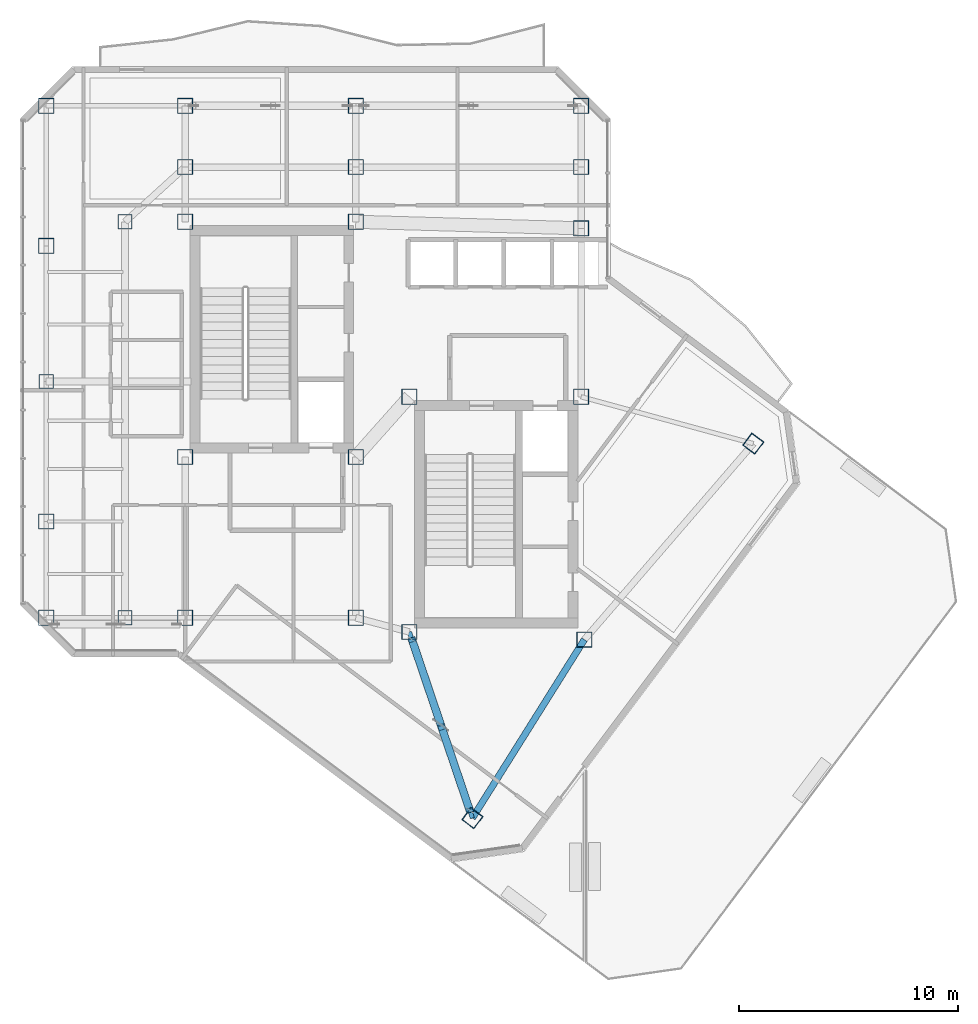
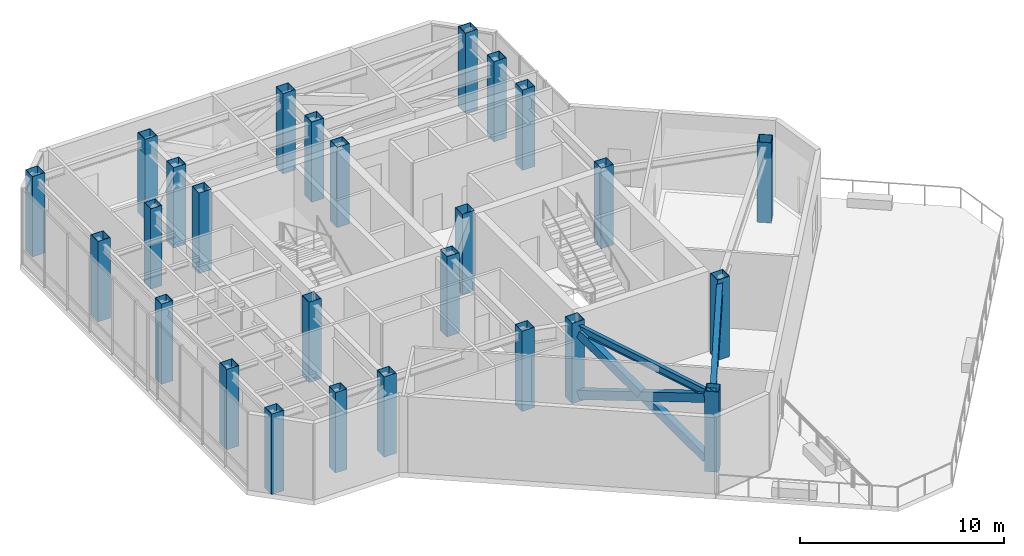
# One storey, part 1 of 21: 26 columns, 3 members, 2 beams.
"""IFC4 building model written with IfcOpenShell, lengths in metres."""

from ifc_helpers import new_model, si_unit, direction, frame, origin, origin_2d, place, context, subcontext, project, spatial, hollow_rectangle, i_section, extrude, material, material_profile, profile_set, type_object, element, save


model = new_model("IFC4")

# Units and contexts
model_context = context("Model", 3, precision=1e-05, world=origin(), true_north=direction((0.0, 1.0)))
body_context = subcontext(model_context, "Body", "Model", "MODEL_VIEW")
ifc_project = project(units=[si_unit("LENGTHUNIT", "METRE"), si_unit("AREAUNIT", "SQUARE_METRE"), si_unit("VOLUMEUNIT", "CUBIC_METRE"), si_unit("PLANEANGLEUNIT", "RADIAN"), si_unit("MASSUNIT", "GRAM", prefix="KILO")], contexts=[model_context])

# Site, building, storey
site_placement = place(None, origin())
site = spatial("IfcSite", under=ifc_project, at=site_placement, CompositionType="ELEMENT")
building_placement = place(site_placement, origin())
building = spatial("IfcBuilding", under=site, at=building_placement, Name="Hatsunagi Terrace Concourse", CompositionType="ELEMENT")
storey_placement = place(building_placement, frame((0.0, 0.0, 234.75)))
storey = spatial("IfcBuildingStorey", under=building, at=storey_placement, Name="L62", CompositionType="ELEMENT", Elevation=234.75)

# Columns
ifc_material_1 = material(Name="Steel BCP325T", Category="steel")
ifc_material_profile_1 = material_profile(ifc_material_1, hollow_rectangle(XDim=0.64990234375, YDim=0.64990234375, WallThickness=0.02490234375, at=origin_2d()), Name="BCP-650x650x25")
ifc_profile_set_1 = profile_set([ifc_material_profile_1], Name="Steel BCP325T")
column_type_1 = type_object("IfcColumnType", Name="TowerBoxColumn_650x650x25", PredefinedType="COLUMN", material=ifc_profile_set_1)
for number, where, z_axis, x_axis, name in (
    (1, (22.800048828125, 25.199951171875, 0.0), (0.0, 0.0, 1.0), (1.0, 0.0, 0.0), "Column C-09 L62-CW1"),
    (2, (22.800048828125, 43.300048828125, 0.0), (0.0, 0.0, 1.0), (1.0, 0.0, 0.0), "Column C-09 L62-CW2"),
    (3, (19.199951171875, 36.0, 0.0), (0.0, 0.0, 1.0), (1.0, 0.0, 0.0), "Column C-09 L62-WT2"),
):
    element("IfcColumn", number, at=place(storey_placement, frame(where, z_axis=z_axis, x_axis=x_axis)), inside=storey, type_object=column_type_1, Name=name, PredefinedType="COLUMN", context=body_context, shape_type="SweptSolid", body=[
        extrude(hollow_rectangle(XDim=0.64990234375, YDim=0.64990234375, WallThickness=0.02490234375, at=origin_2d()), origin(), (0.0, 0.0, 1.0), 4.800048828125),
    ])
ifc_material_2 = material(Name="Steel BCP325T", Category="steel")
ifc_material_profile_2 = material_profile(ifc_material_2, hollow_rectangle(XDim=0.699951171875, YDim=0.699951171875, WallThickness=0.028076171875, at=origin_2d()), Name="BCP-700x700x28")
ifc_profile_set_2 = profile_set([ifc_material_profile_2], Name="Steel BCP325T")
column_type_2 = type_object("IfcColumnType", Name="TowerBoxColumn_700x700x28", PredefinedType="COLUMN", material=ifc_profile_set_2)
for number, where, z_axis, x_axis, name in (
    (4, (25.550048828125, 32.550048828125, 0.0), (0.0, 0.0, 1.0), (1.0, 0.0, 0.0), "Column C-08 L62-CASW"),
    (5, (33.35009765625, 32.550048828125, 0.0), (0.0, 0.0, 1.0), (1.0, 0.0, 0.0), "Column C-08 L62-CASE"),
    (6, (25.550048828125, 43.300048828125, 0.0), (0.0, 0.0, 1.0), (1.0, 0.0, 0.0), "Column C-08 L62-CANW"),
    (7, (33.35009765625, 43.300048828125, 0.0), (0.0, 0.0, 1.0), (1.0, 0.0, 0.0), "Column C-08 L62-CANE"),
    (8, (35.800048828125, 24.550048828125, 0.0), (0.0, 0.0, 1.0), (1.0, 0.0, 0.0), "Column C-08 L62-CBSW"),
    (9, (43.800048828125, 24.199951171875, 0.0), (0.0, 0.0, 1.0), (1.0, 0.0, 0.0), "Column C-08 L62-CBSE"),
    (10, (35.800048828125, 35.300048828125, 0.0), (0.0, 0.0, 1.0), (1.0, 0.0, 0.0), "Column C-08 L62-CBNW"),
    (11, (43.64990234375, 35.300048828125, 0.0), (0.0, 0.0, 1.0), (1.0, 0.0, 0.0), "Column C-08 L62-CBNE"),
    (12, (25.550048828125, 25.199951171875, 0.0), (0.0, 0.0, 1.0), (1.0, 0.0, 0.0), "Column C-08 L62-K1"),
    (13, (33.35009765625, 25.199951171875, 0.0), (0.0, 0.0, 1.0), (1.0, 0.0, 0.0), "Column C-08 L62-K2"),
    (14, (43.64990234375, 43.0, 0.0), (0.0, 0.0, 1.0), (1.0, 0.0, 0.0), "Column C-08 L62-K3"),
    (15, (25.550048828125, 45.800048828125, 0.0), (0.0, 0.0, 1.0), (1.0, 0.0, 0.0), "Column C-08 L62-CN1"),
    (16, (33.35009765625, 45.800048828125, 0.0), (0.0, 0.0, 1.0), (1.0, 0.0, 0.0), "Column C-08 L62-CN2"),
    (17, (43.64990234375, 45.800048828125, 0.0), (0.0, 0.0, 1.0), (1.0, 0.0, 0.0), "Column C-08 L62-CN3"),
    (18, (19.199951171875, 48.60009765625, 0.0), (0.0, 0.0, 1.0), (1.0, 0.0, 0.0), "Column C-08 L62-WN3"),
    (19, (25.550048828125, 48.60009765625, 0.0), (0.0, 0.0, 1.0), (1.0, 0.0, 0.0), "Column C-08 L62-WN4"),
    (20, (33.35009765625, 48.60009765625, 0.0), (0.0, 0.0, 1.0), (1.0, 0.0, 0.0), "Column C-08 L62-WN5"),
    (21, (43.64990234375, 48.60009765625, 0.0), (0.0, 0.0, 1.0), (1.0, 0.0, 0.0), "Column C-08 L62-WN6"),
    (22, (19.199951171875, 25.199951171875, 0.0), (0.0, 0.0, 1.0), (1.0, 0.0, 0.0), "Column C-08 L62-WS3"),
    (23, (19.199951171875, 29.60009765625, 0.0), (0.0, 0.0, 1.0), (1.0, 0.0, 0.0), "Column C-08 L62-WR1"),
    (24, (19.199951171875, 42.199951171875, 0.0), (0.0, 0.0, 1.0), (1.0, 0.0, 0.0), "Column C-08 L62-WR2"),
    (25, (38.679931640625, 16.0400390625, 0.0), (0.0, 0.0, 1.0), (0.799999996291, -0.600000004945, 0.0), "Column C-08 L62-SES1"),
    (26, (51.52001953125, 33.159912109375, 0.0), (0.0, 0.0, 1.0), (0.799999996291, -0.600000004945, 0.0), "Column C-08 L62-SEN1"),
):
    element("IfcColumn", number, at=place(storey_placement, frame(where, z_axis=z_axis, x_axis=x_axis)), inside=storey, type_object=column_type_2, Name=name, PredefinedType="COLUMN", context=body_context, shape_type="SweptSolid", body=[
        extrude(hollow_rectangle(XDim=0.699951171875, YDim=0.699951171875, WallThickness=0.028076171875, at=origin_2d()), origin(), (0.0, 0.0, 1.0), 4.800048828125),
    ])

# Beam
ifc_material_3 = material(Name="Steel SN490B", Category="steel")
ifc_material_profile_3 = material_profile(ifc_material_3, i_section(OverallWidth=0.199951171875, OverallDepth=0.449951171875, WebThickness=0.009033203125, FlangeThickness=0.013916015625, FilletRadius=0.01611328125, at=origin_2d()), Name="H-450x200x9x14")
ifc_profile_set_3 = profile_set([ifc_material_profile_3], Name="Steel SN490B")
beam_type_1 = type_object("IfcBeamType", Name="PerimeterSpandrel_H_450x200", PredefinedType="SPANDREL", material=ifc_profile_set_3)
beam_1_placement = place(storey_placement, frame((35.800048828125, 24.550048828125, 4.324951171875), z_axis=(0.320553412271, -0.947230441805, 0.0), x_axis=(0.947230441805, 0.320553412271, 0.0)))
element("IfcBeam", 27, at=beam_1_placement, inside=storey, type_object=beam_type_1, Name="Beam SP-02 BM-L62-SE-SW0", PredefinedType="SPANDREL", context=body_context, shape_type="SweptSolid", body=[
    extrude(i_section(OverallWidth=0.199951171875, OverallDepth=0.449951171875, WebThickness=0.009033203125, FlangeThickness=0.013916015625, FilletRadius=0.01611328125, at=origin_2d()), origin(), (0.0, 0.0, 1.0), 8.984130859375),
])

# Members
ifc_material_4 = material(Name="Steel SN490B", Category="steel")
ifc_material_profile_4 = material_profile(ifc_material_4, hollow_rectangle(XDim=0.35009765625, YDim=0.5, WallThickness=0.02197265625, at=origin_2d()), Name="RHS-500x350x22")
ifc_profile_set_4 = profile_set([ifc_material_profile_4], Name="Steel SN490B")
member_type = type_object("IfcMemberType", Name="PerimeterXBrace_Upper_RHS_500x350x22", PredefinedType="BRACE", material=ifc_profile_set_4)
member_1_placement = place(storey_placement, frame((35.9208984375, 24.19189453125, 0.4599609375), z_axis=(0.293342688315, -0.866617803236, 0.40363801893), x_axis=(0.947207374874, 0.320621566624, 0.0)))
element("IfcMember", 28, at=member_1_placement, inside=storey, type_object=member_type, Name="Primary Continuous Brace XB-03 BTR-L62-2A", PredefinedType="BRACE", context=body_context, shape_type="SweptSolid", body=[
    extrude(hollow_rectangle(XDim=0.35009765625, YDim=0.5, WallThickness=0.02197265625, at=origin_2d()), origin(), (0.0, 0.0, 1.0), 8.993408203125),
])
member_2_placement = place(storey_placement, frame((35.9208984375, 24.19189453125, 4.090087890625), z_axis=(0.293353608575, -0.866667986669, -0.403522318118), x_axis=(0.947209388405, 0.32061561802, 0.0)))
element("IfcMember", 29, at=member_2_placement, inside=storey, type_object=member_type, Name="Split Secondary Brace Upper XB-03 BTR-L62-2B1", PredefinedType="BRACE", context=body_context, shape_type="SweptSolid", body=[
    extrude(hollow_rectangle(XDim=0.35009765625, YDim=0.5, WallThickness=0.02197265625, at=origin_2d()), origin(), (0.0, 0.0, 1.0), 4.356689453125),
])
member_3_placement = place(storey_placement, frame((37.281005859375, 20.174072265625, 2.218017578125), z_axis=(0.293339362299, -0.866681932508, -0.403502721665), x_axis=(0.94721568346, 0.320597019649, 0.0)))
element("IfcMember", 30, at=member_3_placement, inside=storey, type_object=member_type, Name="Split Secondary Brace Lower XB-03 BTR-L62-2B2", PredefinedType="BRACE", context=body_context, shape_type="SweptSolid", body=[
    extrude(hollow_rectangle(XDim=0.35009765625, YDim=0.5, WallThickness=0.02197265625, at=origin_2d()), origin(), (0.0, 0.0, 1.0), 4.35693359375),
])

# Beam
ifc_material_5 = material(Name="Steel SN490B", Category="steel")
ifc_material_profile_5 = material_profile(ifc_material_5, i_section(OverallWidth=0.300048828125, OverallDepth=0.800048828125, WebThickness=0.013916015625, FlangeThickness=0.02587890625, FilletRadius=0.02197265625, at=origin_2d()), Name="H-800x300x14x26")
ifc_profile_set_5 = profile_set([ifc_material_profile_5], Name="Steel SN490B")
beam_type_2 = type_object("IfcBeamType", Name="SkyLobbyGirder_H_800x300", PredefinedType="BEAM", material=ifc_profile_set_5)
beam_2_placement = place(storey_placement, frame((38.679931640625, 16.0400390625, 4.14990234375), z_axis=(0.531503907049, 0.847055840421, 0.0), x_axis=(-0.847055840421, 0.531503907049, 0.0)))
element("IfcBeam", 31, at=beam_2_placement, inside=storey, type_object=beam_type_2, Name="Beam G-03 BM-L62-SET-1A", PredefinedType="BEAM", context=body_context, shape_type="SweptSolid", body=[
    extrude(i_section(OverallWidth=0.300048828125, OverallDepth=0.800048828125, WebThickness=0.013916015625, FlangeThickness=0.02587890625, FilletRadius=0.02197265625, at=origin_2d()), origin(), (0.0, 0.0, 1.0), 9.63330078125),
])

save(model, "model.ifc")
